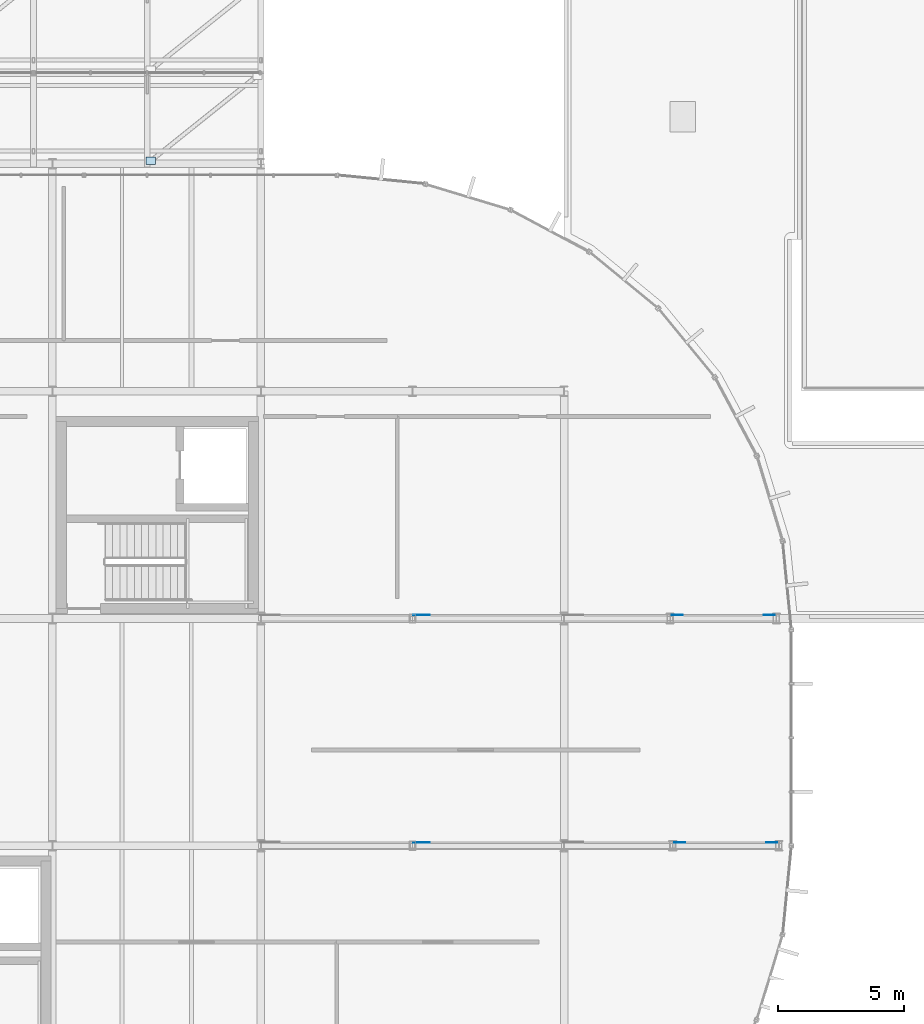
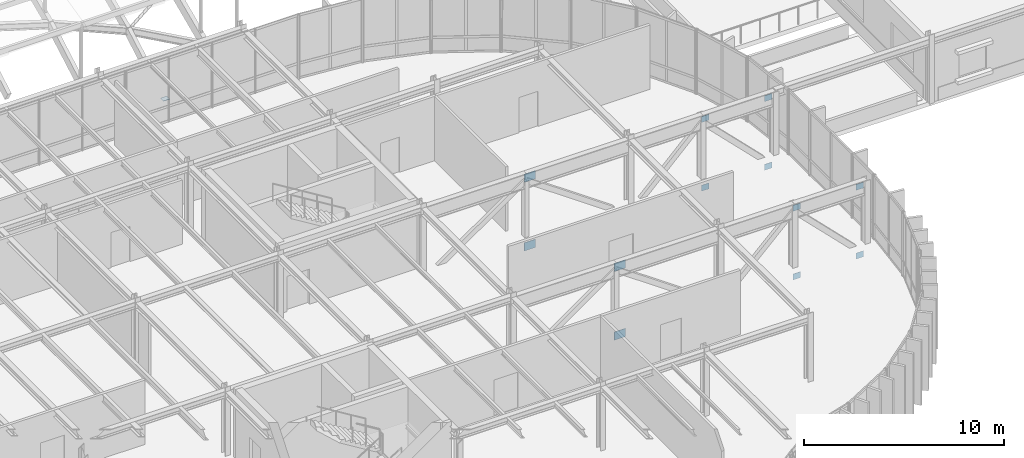
# One storey, part 50 of 69: 13 plates.
"""IFC4 building model written with IfcOpenShell, lengths in metres."""

from ifc_helpers import new_model, si_unit, direction, frame, origin, origin_2d, place, context, subcontext, project, spatial, rectangle, extrude, material, layer, layer_set, type_object, element, save


model = new_model("IFC4")

# Units and contexts
model_context = context("Model", 3, precision=1e-05, world=origin(), true_north=direction((0.0, 1.0)))
body_context = subcontext(model_context, "Body", "Model", "MODEL_VIEW")
ifc_project = project(units=[si_unit("LENGTHUNIT", "METRE"), si_unit("AREAUNIT", "SQUARE_METRE"), si_unit("VOLUMEUNIT", "CUBIC_METRE"), si_unit("PLANEANGLEUNIT", "RADIAN"), si_unit("MASSUNIT", "GRAM", prefix="KILO")], contexts=[model_context])

# Site, building, storey
site_placement = place(None, origin())
site = spatial("IfcSite", under=ifc_project, at=site_placement, CompositionType="ELEMENT")
building_placement = place(site_placement, origin())
building = spatial("IfcBuilding", under=site, at=building_placement, Name="Montealbar Specialist Clinic", CompositionType="ELEMENT")
storey_placement = place(building_placement, frame((0.0, 0.0, 9.60009765625)))
storey = spatial("IfcBuildingStorey", under=building, at=storey_placement, Name="L02", CompositionType="ELEMENT", Elevation=9.60009765625)

# Plates
ifc_material = material(Name="Steel S355", Category="steel")
ifc_layer_1 = layer(ifc_material, 0.02001953125, Name="Steel S355", Category="steel")
ifc_layer_set_1 = layer_set([ifc_layer_1], Name="Steel S355")
plate_type_1 = type_object("IfcPlateType", Name="PL-GUSSET-20", PredefinedType="SHEET", material=ifc_layer_set_1)
for number, where, z_axis, x_axis, name in (
    (1, (115.580078125, 18.1298828125, -0.97021484375), (0.0, 0.0, 1.0), (1.0, 0.0, 0.0), "Truss node gusset plate GN-TT-E1-3B"),
    (2, (115.580078125, 18.1298828125, 3.22998046875), (0.0, 0.0, 1.0), (1.0, 0.0, 0.0), "Truss node gusset plate GN-TT-E1-3T"),
    (3, (119.219970703125, 18.1298828125, -0.97021484375), (0.0, 0.0, 1.0), (1.0, 0.0, 0.0), "Truss node gusset plate GN-TT-E1-4B"),
    (4, (119.219970703125, 18.1298828125, 3.22998046875), (0.0, 0.0, 1.0), (1.0, 0.0, 0.0), "Truss node gusset plate GN-TT-E1-4T"),
    (5, (115.47998046875, 27.1298828125, -0.97021484375), (0.0, 0.0, 1.0), (1.0, 0.0, 0.0), "Truss node gusset plate GN-TT-E2-3B"),
    (6, (115.47998046875, 27.1298828125, 3.22998046875), (0.0, 0.0, 1.0), (1.0, 0.0, 0.0), "Truss node gusset plate GN-TT-E2-3T"),
    (7, (119.1201171875, 27.1298828125, -0.97021484375), (0.0, 0.0, 1.0), (1.0, 0.0, 0.0), "Truss node gusset plate GN-TT-E2-4B"),
    (8, (119.1201171875, 27.1298828125, 3.22998046875), (0.0, 0.0, 1.0), (1.0, 0.0, 0.0), "Truss node gusset plate GN-TT-E2-4T"),
):
    element("IfcPlate", number, at=place(storey_placement, frame(where, z_axis=z_axis, x_axis=x_axis)), inside=storey, type_object=plate_type_1, Name=name, PredefinedType="SHEET", context=body_context, shape_type="SweptSolid", body=[
        extrude(rectangle(XDim=0.419921875, YDim=0.02001953125, at=origin_2d()), origin(), (0.0, 0.0, 1.0), 0.360107421875),
    ])
ifc_layer_2 = layer(ifc_material, 0.02001953125, Name="Steel S355", Category="steel")
ifc_layer_set_2 = layer_set([ifc_layer_2], Name="Steel S355")
plate_type_2 = type_object("IfcPlateType", Name="PL-GUSSET-20-EXT", PredefinedType="SHEET", material=ifc_layer_set_2)
plate_placement = place(storey_placement, frame((94.639892578125, 45.110107421875, 0.989990234375), z_axis=(0.0, 0.0, 1.0), x_axis=(1.0, 0.0, 0.0)))
element("IfcPlate", 9, at=plate_placement, inside=storey, type_object=plate_type_2, Name="Gridshell Brace Node Gusset Plate 9-0", PredefinedType="SHEET", context=body_context, shape_type="SweptSolid", body=[
    extrude(rectangle(XDim=0.360107421875, YDim=0.300048828125, at=origin_2d()), origin(), (0.0, 0.0, 1.0), 0.02001953125),
])
ifc_layer_3 = layer(ifc_material, 0.02490234375, Name="Steel S355", Category="steel")
ifc_layer_set_3 = layer_set([ifc_layer_3], Name="Steel S355")
plate_type_3 = type_object("IfcPlateType", Name="PL-GUSSET-25", PredefinedType="SHEET", material=ifc_layer_set_3)
for number, where, z_axis, x_axis, name in (
    (10, (105.35009765625, 18.133056640625, -1.0400390625), (0.0, 0.0, 1.0), (1.0, 0.0, 0.0), "Truss node gusset plate GN-TT-E1-1B"),
    (11, (105.35009765625, 18.133056640625, 3.159912109375), (0.0, 0.0, 1.0), (1.0, 0.0, 0.0), "Truss node gusset plate GN-TT-E1-1T"),
    (12, (105.35009765625, 27.133056640625, -1.0400390625), (0.0, 0.0, 1.0), (1.0, 0.0, 0.0), "Truss node gusset plate GN-TT-E2-1B"),
    (13, (105.35009765625, 27.133056640625, 3.159912109375), (0.0, 0.0, 1.0), (1.0, 0.0, 0.0), "Truss node gusset plate GN-TT-E2-1T"),
):
    element("IfcPlate", number, at=place(storey_placement, frame(where, z_axis=z_axis, x_axis=x_axis)), inside=storey, type_object=plate_type_3, Name=name, PredefinedType="SHEET", context=body_context, shape_type="SweptSolid", body=[
        extrude(rectangle(XDim=0.64990234375, YDim=0.02490234375, at=origin_2d()), origin(), (0.0, 0.0, 1.0), 0.5),
    ])

save(model, "model.ifc")
